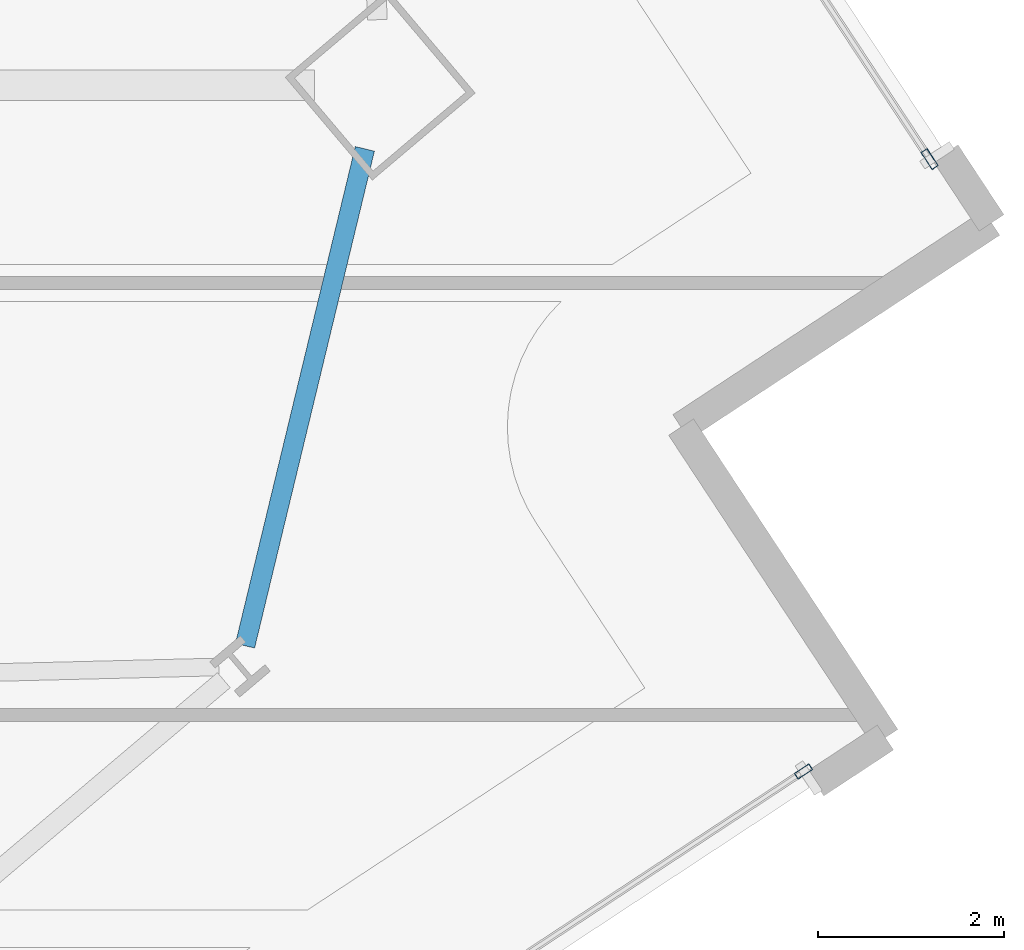
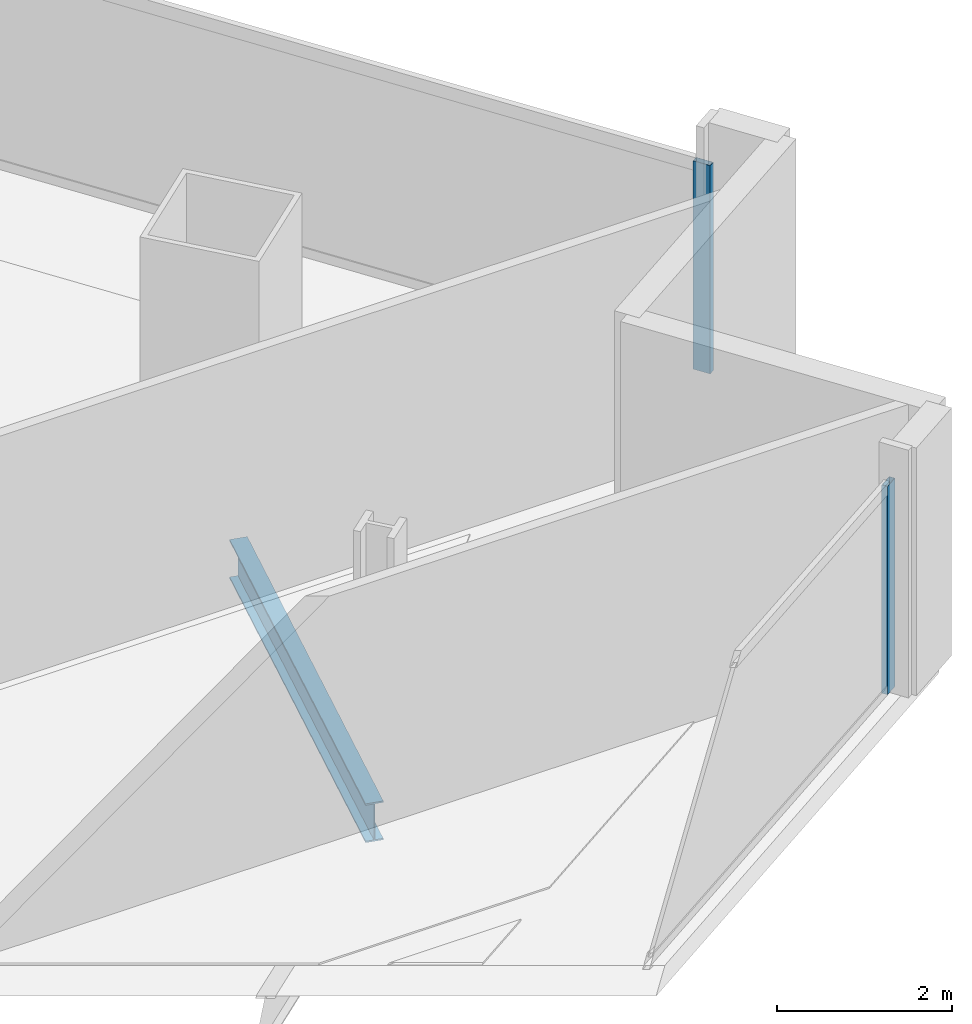
# One storey, part 10 of 29: 2 members, 1 beam, 2 elements without a shape of their own.
"""IFC4 building model written with IfcOpenShell, lengths in metres."""

from ifc_helpers import new_model, si_unit, direction, frame, origin, origin_2d, place, context, subcontext, project, spatial, hollow_rectangle, i_section, extrude, material, material_profile, profile_set, type_object, element, aggregate, save


model = new_model("IFC4")

# Units and contexts
model_context = context("Model", 3, precision=1e-05, world=origin(), true_north=direction((0.0, 1.0)))
body_context = subcontext(model_context, "Body", "Model", "MODEL_VIEW")
ifc_project = project(units=[si_unit("LENGTHUNIT", "METRE"), si_unit("AREAUNIT", "SQUARE_METRE"), si_unit("VOLUMEUNIT", "CUBIC_METRE"), si_unit("PLANEANGLEUNIT", "RADIAN"), si_unit("MASSUNIT", "GRAM", prefix="KILO")], contexts=[model_context])

# Site, building, storey
site_placement = place(None, origin())
site = spatial("IfcSite", under=ifc_project, at=site_placement, CompositionType="ELEMENT")
building_placement = place(site_placement, origin())
building = spatial("IfcBuilding", under=site, at=building_placement, Name="Haldenkirk Collegiate Tower", CompositionType="ELEMENT")
storey_placement = place(building_placement, frame((0.0, 0.0, 140.699951171875)))
storey = spatial("IfcBuildingStorey", under=building, at=storey_placement, Name="L34", CompositionType="ELEMENT", Elevation=140.699951171875)

# Beam
ifc_material_1 = material(Name="Steel ASTM A992 Grade 50", Category="steel")
ifc_material_profile_1 = material_profile(ifc_material_1, i_section(OverallWidth=0.2119140625, OverallDepth=0.5439453125, WebThickness=0.01318359375, FlangeThickness=0.021240234375, at=origin_2d()), Name="W21X83")
ifc_profile_set_1 = profile_set([ifc_material_profile_1], Name="Steel ASTM A992 Grade 50")
beam_type = type_object("IfcBeamType", Name="BM-SPANDREL-W21X83", PredefinedType="SPANDREL", material=ifc_profile_set_1)
beam_placement = place(storey_placement, frame((60.010009765625, 18.595458984375, -0.56201171875), z_axis=(0.23444531808, 0.972129308698, 0.0), x_axis=(-0.972129308698, 0.23444531808, 0.0)))
element("IfcBeam", 1, at=beam_placement, inside=storey, type_object=beam_type, Name="L34 perimeter spandrel beam 04", PredefinedType="SPANDREL", context=body_context, shape_type="SweptSolid", body=[
    extrude(i_section(OverallWidth=0.2119140625, OverallDepth=0.5439453125, WebThickness=0.01318359375, FlangeThickness=0.021240234375, at=origin_2d()), origin(), (0.0, 0.0, 1.0), 5.50146484375),
])

# Curtain wall, member
ifc_material_2 = material(Name="Anodised architectural bronze aluminium", Category="aluminium")
curtain_wall_type_1 = type_object("IfcCurtainWallType", Name="CW-SYS2-CONCAVE", PredefinedType="USERDEFINED", material=ifc_material_2)
curtain_wall_1_placement = place(storey_placement, origin())
curtain_wall_1 = element("IfcCurtainWall", 2, at=curtain_wall_1_placement, inside=storey, type_object=curtain_wall_type_1, Name="L34 South concave recessed bronze-anodised curtain wall", ObjectType="UNITISED CURTAIN WALL", PredefinedType="USERDEFINED")
ifc_material_profile_2 = material_profile(ifc_material_2, hollow_rectangle(XDim=0.074951171875, YDim=0.18994140625, WallThickness=0.0048828125, at=origin_2d()), Name="CW-MUL-02")
ifc_profile_set_2 = profile_set([ifc_material_profile_2], Name="Anodised architectural bronze aluminium")
member_type_1 = type_object("IfcMemberType", Name="CW-MUL-02", PredefinedType="MULLION", material=ifc_profile_set_2)
member_1_placement = place(storey_placement, frame((66.02099609375, 17.241943359375, 0.0), z_axis=(0.0, 0.0, 1.0), x_axis=(0.549751618322, -0.835328173925, 0.0)))
member_1 = element("IfcMember", 3, at=member_1_placement, type_object=member_type_1, Name="CW-02 mullion 1", PredefinedType="MULLION", context=body_context, shape_type="SweptSolid", body=[
    extrude(hollow_rectangle(XDim=0.074951171875, YDim=0.18994140625, WallThickness=0.0048828125, at=origin_2d()), origin(), (0.0, 0.0, 1.0), 2.9111328125),
])
aggregate(curtain_wall_1, [member_1])

curtain_wall_type_2 = type_object("IfcCurtainWallType", Name="CW-SYS1-CONVEX-LOW", PredefinedType="USERDEFINED", material=ifc_material_2)
curtain_wall_2_placement = place(storey_placement, origin())
curtain_wall_2 = element("IfcCurtainWall", 4, at=curtain_wall_2_placement, inside=storey, type_object=curtain_wall_type_2, Name="L34 Lower tower convex bronze-framed unitised curtain wall", ObjectType="UNITISED CURTAIN WALL", PredefinedType="USERDEFINED")
ifc_material_profile_3 = material_profile(ifc_material_2, hollow_rectangle(XDim=0.080078125, YDim=0.219970703125, WallThickness=0.0048828125, at=origin_2d()), Name="CW-MUL-1A")
ifc_profile_set_3 = profile_set([ifc_material_profile_3], Name="Anodised architectural bronze aluminium")
member_type_2 = type_object("IfcMemberType", Name="CW-MUL-1A", PredefinedType="MULLION", material=ifc_profile_set_3)
member_2_placement = place(storey_placement, frame((67.378173828125, 23.83349609375, 0.0), z_axis=(0.0, 0.0, 1.0), x_axis=(0.835328355519, 0.549751342395, 0.0)))
member_2 = element("IfcMember", 5, at=member_2_placement, type_object=member_type_2, Name="CW-1A mullion 5", PredefinedType="MULLION", context=body_context, shape_type="SweptSolid", body=[
    extrude(hollow_rectangle(XDim=0.080078125, YDim=0.219970703125, WallThickness=0.0048828125, at=origin_2d()), origin(), (0.0, 0.0, 1.0), 2.9111328125),
])
aggregate(curtain_wall_2, [member_2])

save(model, "model.ifc")
